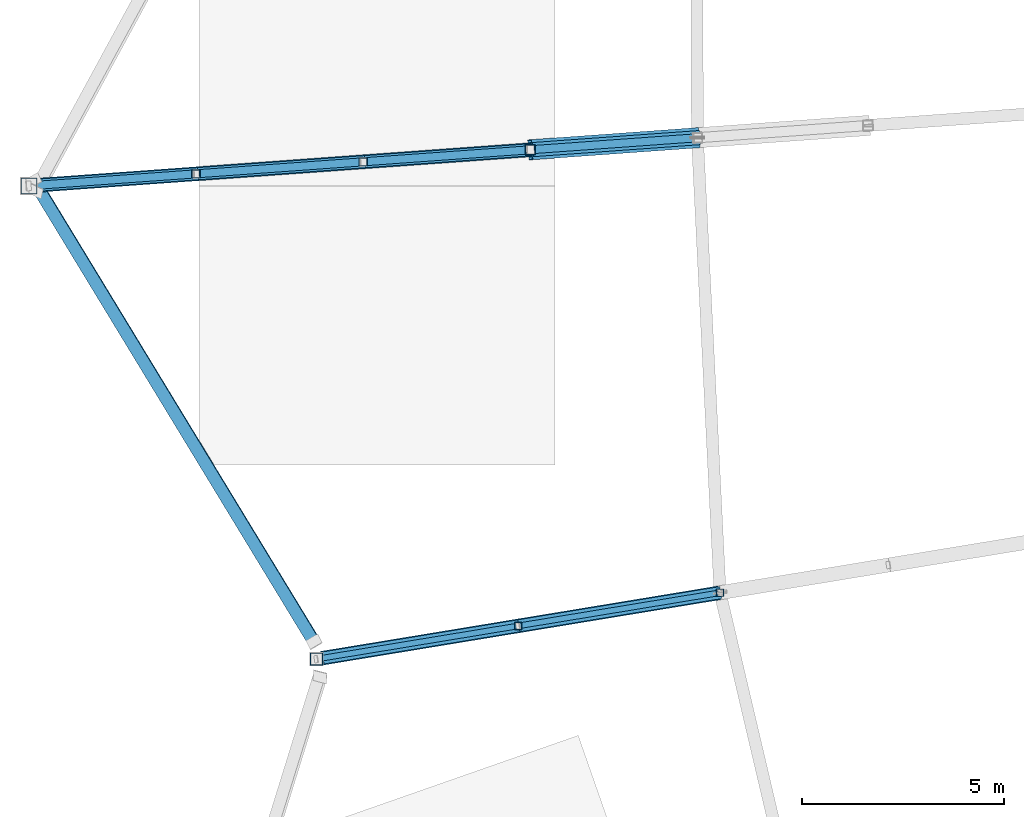
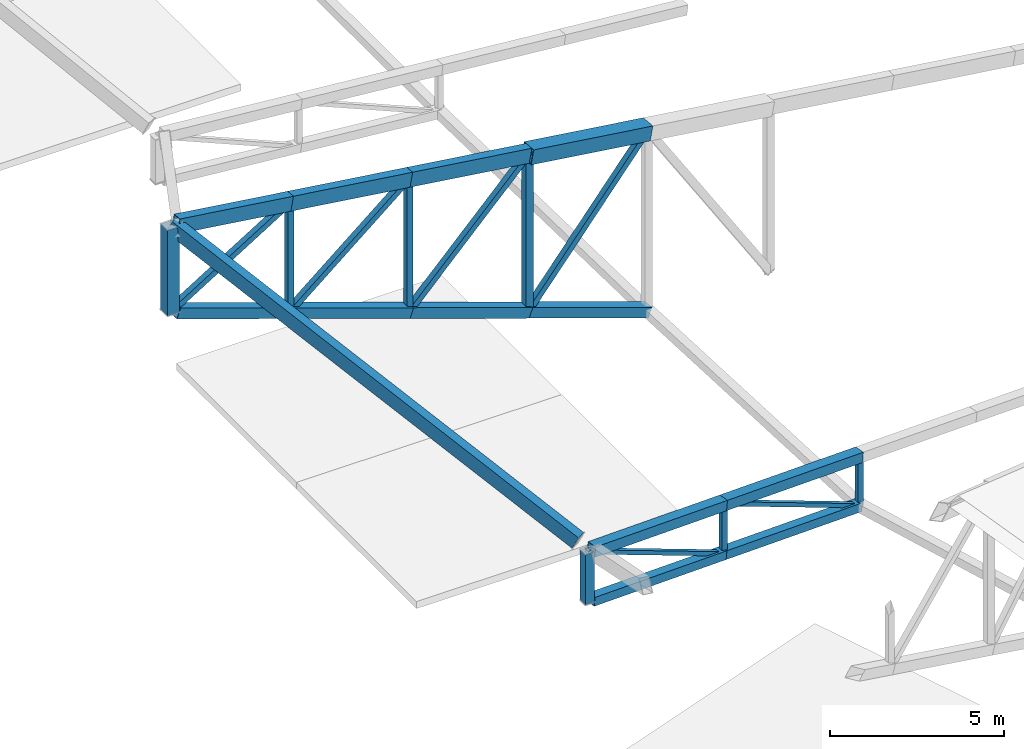
# One storey, part 10 of 188: 25 members, 1 beam.
"""IFC4 building model written with IfcOpenShell, lengths in metres."""

import ifcopenshell
import ifcopenshell.guid

model = None  # the IFC model being written
_history = None  # IfcOwnerHistory: only IFC2X3 demands one
_inside = {}  # id of a spatial element -> (the spatial element, [elements in it])
_under = {}  # id of a project, library or spatial element -> (it, [spatial elements below it])
_declared = {}  # id of a project -> (the project, [libraries it declares])
_typed = {}  # id of a type object -> (the type object, [elements of that type])
_made_of = {}  # id of a material, layer set ... -> (it, [elements and type objects made of it])


def new_model(schema):
    """Start an empty IFC model of exactly this schema.

    Asked for "IFC4X3", IfcOpenShell would pick the latest addendum, in which some entities
    have other attributes; the version numbers below select the first issue.
    IFC2X3 requires an IfcOwnerHistory on every rooted entity: one is made here for all.
    """
    global model, _history
    if schema == "IFC4X3":
        model = ifcopenshell.file(schema_version=(4, 3, 0, 0))
    else:
        model = ifcopenshell.file(schema=schema)
    _inside.clear()
    _under.clear()
    _declared.clear()
    _typed.clear()
    _made_of.clear()
    _history = None
    if model.schema == "IFC2X3":
        org = make("IfcOrganization", Name="unknown")
        user = make(
            "IfcPersonAndOrganization",
            ThePerson=make("IfcPerson", FamilyName="unknown"),
            TheOrganization=org,
        )
        app = make(
            "IfcApplication",
            ApplicationDeveloper=org,
            Version="unknown",
            ApplicationFullName="unknown",
            ApplicationIdentifier="unknown",
        )
        _history = make(
            "IfcOwnerHistory",
            OwningUser=user,
            OwningApplication=app,
            ChangeAction="ADDED",
            CreationDate=0,
        )
    return model


def make(cls, **values):
    """One entity of the class cls with the attributes given. An attribute that is None is left unset."""
    return model.create_entity(
        cls, **{name: value for name, value in values.items() if value is not None}
    )


def rooted(cls, **values):
    """An entity with a GlobalId (a new one), such as an element, a storey or a relation."""
    return make(cls, GlobalId=ifcopenshell.guid.new(), OwnerHistory=_history, **values)


def si_unit(unit_type, name, prefix=None):
    """IfcSIUnit, for example si_unit("LENGTHUNIT", "METRE", prefix="MILLI")."""
    return make("IfcSIUnit", UnitType=unit_type, Prefix=prefix, Name=name)


def assignment(units):
    """IfcUnitAssignment: the units of a project."""
    return None if units is None else make("IfcUnitAssignment", Units=units)


def point(xyz):
    """IfcCartesianPoint."""
    return None if xyz is None else make("IfcCartesianPoint", Coordinates=xyz)


def direction(xyz):
    """IfcDirection."""
    return None if xyz is None else make("IfcDirection", DirectionRatios=xyz)


def frame(location, z_axis=None, x_axis=None):
    """IfcAxis2Placement3D, a coordinate frame: its origin and axes. An axis left out is left unset."""
    return make(
        "IfcAxis2Placement3D",
        Location=point(location),
        Axis=direction(z_axis),
        RefDirection=direction(x_axis),
    )


def frame_2d(location, x_axis=None):
    """IfcAxis2Placement2D, a coordinate frame in the plane: its origin and x axis."""
    return make(
        "IfcAxis2Placement2D", Location=point(location), RefDirection=direction(x_axis)
    )


def origin():
    """The frame at (0, 0, 0) with its axes left unset."""
    return frame((0.0, 0.0, 0.0))


def origin_2d():
    """The frame at (0, 0) in the plane with its x axis left unset."""
    return frame_2d((0.0, 0.0))


def place(relative_to, where):
    """IfcLocalPlacement: puts the frame where relative to a parent placement (None: the world)."""
    return make(
        "IfcLocalPlacement", PlacementRelTo=relative_to, RelativePlacement=where
    )


def context(
    kind, dimensions, precision=None, world=None, true_north=None, identifier=None
):
    """IfcGeometricRepresentationContext, for example the 3D "Model" context."""
    return make(
        "IfcGeometricRepresentationContext",
        ContextIdentifier=identifier,
        ContextType=kind,
        CoordinateSpaceDimension=dimensions,
        Precision=precision,
        WorldCoordinateSystem=world,
        TrueNorth=true_north,
    )


def subcontext(parent, identifier, kind, view, scale=None):
    """IfcGeometricRepresentationSubContext, for example "Body" below "Model"."""
    return make(
        "IfcGeometricRepresentationSubContext",
        ContextIdentifier=identifier,
        ContextType=kind,
        ParentContext=parent,
        TargetScale=scale,
        TargetView=view,
    )


def project(units=None, contexts=None):
    """IfcProject with its units and contexts."""
    return rooted(
        "IfcProject",
        Name="project",
        RepresentationContexts=contexts,
        UnitsInContext=assignment(units),
    )


def spatial(cls, under=None, at=None, **own):
    """A site, building, storey or space (cls), placed at a placement, below another one or the project."""
    s = rooted(cls, ObjectPlacement=at, **own)
    if under is not None:
        _under.setdefault(under.id(), (under, []))[1].append(s)
    return s


def profile(cls, at=None, kind="AREA", **sizes):
    """A parametric profile (cls). Its sizes go by their IFC names, for example OverallWidth=200.0."""
    return make(cls, ProfileType=kind, Position=at, **sizes)


def hollow_rectangle(**sizes):
    """IfcRectangleHollowProfileDef."""
    return profile("IfcRectangleHollowProfileDef", **sizes)


def extrude(swept, where, along, depth):
    """IfcExtrudedAreaSolid: the profile swept, set in the frame where, extruded along a direction by depth."""
    return make(
        "IfcExtrudedAreaSolid",
        SweptArea=swept,
        Position=where,
        ExtrudedDirection=direction(along),
        Depth=depth,
    )


def shape(context_of_items, identifier, shape_type, items):
    """IfcShapeRepresentation: the items that make up one representation, for example the "Body"."""
    return make(
        "IfcShapeRepresentation",
        ContextOfItems=context_of_items,
        RepresentationIdentifier=identifier,
        RepresentationType=shape_type,
        Items=items,
    )


def material(Name=None, Category=None):
    """IfcMaterial."""
    return make("IfcMaterial", Name=Name, Category=Category)


def material_profile(
    of_material, cross_section, Name=None, Category=None, Priority=None
):
    """IfcMaterialProfile: a cross section and its material."""
    return make(
        "IfcMaterialProfile",
        Name=Name,
        Material=of_material,
        Profile=cross_section,
        Priority=Priority,
        Category=Category,
    )


def profile_set(profiles, Name=None, composite=None):
    """IfcMaterialProfileSet."""
    return make(
        "IfcMaterialProfileSet",
        Name=Name,
        MaterialProfiles=profiles,
        CompositeProfile=composite,
    )


def made_of(thing, what):
    """Note that an element or type object is made of a material, layer set ...; save() writes the relation."""
    if what is not None:
        _made_of.setdefault(what.id(), (what, []))[1].append(thing)
    return thing


def type_object(cls, material=None, **own):
    """A type object (cls), such as IfcWallType, which elements share."""
    return made_of(rooted(cls, **own), material)


def element(
    cls,
    number,
    at=None,
    inside=None,
    cuts=None,
    type_object=None,
    material=None,
    context=None,
    identifier="Body",
    shape_type=None,
    held_by="IfcProductDefinitionShape",
    body=None,
    shapes=None,
    **own,
):
    """One element of the class cls, such as IfcWall. Its Tag is "e" and its number.

    at: its placement. inside: the storey or other place that contains it. cuts: it is an
    opening in that element (IfcRelVoidsElement). A single representation is given by context,
    identifier, shape_type and body (its items); several are given by shapes. held_by: the class
    of the entity that holds the representations. save() writes the other relations.
    """
    e = rooted(cls, Tag="e%d" % number, ObjectPlacement=at, **own)
    if body is not None:
        shapes = [shape(context, identifier, shape_type, body)]
    if shapes is not None:
        e.Representation = make(held_by, Representations=shapes)
    if inside is not None:
        _inside.setdefault(inside.id(), (inside, []))[1].append(e)
    if cuts is not None:
        rooted(
            "IfcRelVoidsElement", RelatingBuildingElement=cuts, RelatedOpeningElement=e
        )
    if type_object is not None:
        _typed.setdefault(type_object.id(), (type_object, []))[1].append(e)
    return made_of(e, material)


def aggregate(whole, parts):
    """IfcRelAggregates: a whole, such as a stair, and the parts it consists of."""
    return rooted("IfcRelAggregates", RelatingObject=whole, RelatedObjects=parts)


def save(model, path):
    """Write the relations noted so far, then the file.

    IfcRelAggregates (storeys below a building ...), IfcRelContainedInSpatialStructure (elements
    in a storey), IfcRelDefinesByType, IfcRelAssociatesMaterial and IfcRelDeclares: one each for
    every whole, place, type object, material and project.
    """
    for whole, parts in _under.values():
        aggregate(whole, parts)
    for where, things in _inside.values():
        rooted(
            "IfcRelContainedInSpatialStructure",
            RelatedElements=things,
            RelatingStructure=where,
        )
    for kind, things in _typed.values():
        rooted("IfcRelDefinesByType", RelatedObjects=things, RelatingType=kind)
    for what, things in _made_of.values():
        rooted("IfcRelAssociatesMaterial", RelatedObjects=things, RelatingMaterial=what)
    for by, libraries in _declared.values():
        rooted("IfcRelDeclares", RelatingContext=by, RelatedDefinitions=libraries)
    model.write(path)


model = new_model("IFC4")

# Units and contexts
model_context = context("Model", 3, precision=1e-05, world=origin(), true_north=direction((0.0, 1.0)))
body_context = subcontext(model_context, "Body", "Model", "MODEL_VIEW")
ifc_project = project(units=[si_unit("LENGTHUNIT", "METRE"), si_unit("AREAUNIT", "SQUARE_METRE"), si_unit("VOLUMEUNIT", "CUBIC_METRE"), si_unit("PLANEANGLEUNIT", "RADIAN"), si_unit("MASSUNIT", "GRAM", prefix="KILO")], contexts=[model_context])

# Site, building, storey
site_placement = place(None, origin())
site = spatial("IfcSite", under=ifc_project, at=site_placement, CompositionType="ELEMENT")
building_placement = place(site_placement, origin())
building = spatial("IfcBuilding", under=site, at=building_placement, Name="Meseta Stadium", CompositionType="ELEMENT")
storey_placement = place(building_placement, frame((0.0, 0.0, 30.0)))
storey = spatial("IfcBuildingStorey", under=building, at=storey_placement, Name="ROOF", CompositionType="ELEMENT", Elevation=30.0)

# Beam
ifc_material_1 = material(Name="Steel S355", Category="steel")
ifc_material_profile_1 = material_profile(ifc_material_1, hollow_rectangle(XDim=0.300048828125, YDim=0.5, WallThickness=0.01611328125, at=origin_2d()), Name="RHS 500x300x16")
ifc_profile_set_1 = profile_set([ifc_material_profile_1], Name="Steel S355")
beam_type = type_object("IfcBeamType", Name="RHS 500x300x16 rim ring beam", PredefinedType="BEAM", material=ifc_profile_set_1)
beam_placement = place(storey_placement, frame((-101.27294921875, -43.630615234375, 10.410400390625), z_axis=(0.465079975823, -0.765248106248, -0.445079714178), x_axis=(0.862657043006, 0.504663486281, 0.033728204313)))
element("IfcBeam", 1, at=beam_placement, inside=storey, type_object=beam_type, Name="RIM RING BEAM 37", PredefinedType="BEAM", context=body_context, shape_type="SweptSolid", body=[
    extrude(hollow_rectangle(XDim=0.300048828125, YDim=0.5, WallThickness=0.01611328125, at=origin_2d()), origin(), (0.0, 0.0, 1.0), 14.867919921875),
])

# Members
ifc_material_2 = material(Name="Steel S355", Category="steel")
ifc_material_profile_2 = material_profile(ifc_material_2, hollow_rectangle(XDim=0.300048828125, YDim=0.5, WallThickness=0.01611328125, at=origin_2d()), Name="RHS 500x300x16")
ifc_profile_set_2 = profile_set([ifc_material_profile_2], Name="Steel S355")
member_type_1 = type_object("IfcMemberType", Name="RHS 500x300x16 top chord", PredefinedType="CHORD", material=ifc_profile_set_2)
for number, where, z_axis, x_axis, name in (
    (2, (-89.012939453125, -42.858642578125, 8.143310546875), (-0.979983832293, -0.070516190144, 0.186169695096), (0.071770917658, -0.997421142436, 0.0), "ROOF TRUSS RT-36 top chord"),
    (3, (-93.14208984375, -43.15576171875, 8.927734375), (-0.979970961837, -0.070519433571, 0.186236203367), (0.071775139582, -0.997420838632, 0.0), "ROOF TRUSS RT-36 top chord"),
):
    element("IfcMember", number, at=place(storey_placement, frame(where, z_axis=z_axis, x_axis=x_axis)), inside=storey, type_object=member_type_1, Name=name, PredefinedType="CHORD", context=body_context, shape_type="SweptSolid", body=[
        extrude(hollow_rectangle(XDim=0.300048828125, YDim=0.5, WallThickness=0.01611328125, at=origin_2d()), origin(), (0.0, 0.0, 1.0), 4.21337890625),
    ])
member_1_placement = place(storey_placement, frame((-97.27099609375, -43.452880859375, 9.71240234375), z_axis=(-0.979967572172, -0.070501701809, 0.186260751458), x_axis=(0.071757431946, -0.997422112729, 0.0)))
element("IfcMember", 4, at=member_1_placement, inside=storey, type_object=member_type_1, Name="ROOF TRUSS RT-36 top chord", PredefinedType="CHORD", context=body_context, shape_type="SweptSolid", body=[
    extrude(hollow_rectangle(XDim=0.300048828125, YDim=0.5, WallThickness=0.01611328125, at=origin_2d()), origin(), (0.0, 0.0, 1.0), 4.013427734375),
])
ifc_material_3 = material(Name="Steel S355", Category="steel")
ifc_material_profile_3 = material_profile(ifc_material_3, hollow_rectangle(XDim=0.139892578125, YDim=0.139892578125, WallThickness=0.0048828125, at=origin_2d()), Name="SHS 140x140x5")
ifc_profile_set_3 = profile_set([ifc_material_profile_3], Name="Steel S355")
member_type_2 = type_object("IfcMemberType", Name="SHS 140x140x5 diagonal", PredefinedType="BRACE", material=ifc_profile_set_3)
for number, where, z_axis, x_axis, name in (
    (5, (-84.3251953125, -53.801513671875, 0.800048828125), (-0.897327837288, -0.147628163072, 0.415943118582), (0.162337457447, -0.986735298806, 0.0), "ROOF TRUSS RT-37 diagonal"),
    (6, (-89.309814453125, -54.62158203125, 1.353759765625), (-0.897333658577, -0.147585170471, 0.415945816955), (0.162290401428, -0.986743039299, 0.0), "ROOF TRUSS RT-37 diagonal"),
):
    element("IfcMember", number, at=place(storey_placement, frame(where, z_axis=z_axis, x_axis=x_axis)), inside=storey, type_object=member_type_2, Name=name, PredefinedType="BRACE", context=body_context, shape_type="SweptSolid", body=[
        extrude(hollow_rectangle(XDim=0.139892578125, YDim=0.139892578125, WallThickness=0.0048828125, at=origin_2d()), origin(), (0.0, 0.0, 1.0), 5.554931640625),
    ])
ifc_material_4 = material(Name="Steel S355", Category="steel")
ifc_material_profile_4 = material_profile(ifc_material_4, hollow_rectangle(XDim=0.179931640625, YDim=0.179931640625, WallThickness=0.00634765625, at=origin_2d()), Name="SHS 180x180x6.3")
ifc_profile_set_4 = profile_set([ifc_material_profile_4], Name="Steel S355")
member_type_3 = type_object("IfcMemberType", Name="SHS 180x180x6.3 post", PredefinedType="POST", material=ifc_profile_set_4)
for number, where, z_axis, x_axis, name in (
    (7, (-84.3251953125, -53.801513671875, 0.800048828125), (0.0, 0.0, 1.0), (1.0, 0.0, 0.0), "ROOF TRUSS RT-37 post"),
    (8, (-89.309814453125, -54.62158203125, 1.353759765625), (0.0, 0.0, 1.0), (1.0, 0.0, 0.0), "ROOF TRUSS RT-37 post"),
):
    element("IfcMember", number, at=place(storey_placement, frame(where, z_axis=z_axis, x_axis=x_axis)), inside=storey, type_object=member_type_3, Name=name, PredefinedType="POST", context=body_context, shape_type="SweptSolid", body=[
        extrude(hollow_rectangle(XDim=0.179931640625, YDim=0.179931640625, WallThickness=0.00634765625, at=origin_2d()), origin(), (0.0, 0.0, 1.0), 1.7568359375),
    ])
ifc_material_5 = material(Name="Steel S355", Category="steel")
ifc_material_profile_5 = material_profile(ifc_material_5, hollow_rectangle(XDim=0.199951171875, YDim=0.199951171875, WallThickness=0.008056640625, at=origin_2d()), Name="SHS 200x200x8")
ifc_profile_set_5 = profile_set([ifc_material_profile_5], Name="Steel S355")
member_type_4 = type_object("IfcMemberType", Name="SHS 200x200x8 diagonal", PredefinedType="BRACE", material=ifc_profile_set_5)
member_2_placement = place(storey_placement, frame((-84.884033203125, -42.5615234375, 7.358642578125), z_axis=(-0.658035830009, -0.047352743917, -0.751496216935), x_axis=(0.071775139582, -0.997420838632, 0.0)))
element("IfcMember", 9, at=member_2_placement, inside=storey, type_object=member_type_4, Name="ROOF TRUSS RT-36 diagonal", PredefinedType="BRACE", context=body_context, shape_type="SweptSolid", body=[
    extrude(hollow_rectangle(XDim=0.199951171875, YDim=0.199951171875, WallThickness=0.008056640625, at=origin_2d()), origin(), (0.0, 0.0, 1.0), 6.274658203125),
])
member_3_placement = place(storey_placement, frame((-89.012939453125, -42.858642578125, 8.143310546875), z_axis=(-0.727568764065, -0.052353289533, -0.684034229137), x_axis=(0.071770917658, -0.997421142436, 0.0)))
element("IfcMember", 10, at=member_3_placement, inside=storey, type_object=member_type_4, Name="ROOF TRUSS RT-36 diagonal", PredefinedType="BRACE", context=body_context, shape_type="SweptSolid", body=[
    extrude(hollow_rectangle(XDim=0.199951171875, YDim=0.199951171875, WallThickness=0.008056640625, at=origin_2d()), origin(), (0.0, 0.0, 1.0), 5.67529296875),
])
member_4_placement = place(storey_placement, frame((-93.14208984375, -43.15576171875, 8.927734375), z_axis=(-0.803130928286, -0.05779389426, -0.592992898623), x_axis=(0.071775139582, -0.997420838632, 0.0)))
element("IfcMember", 11, at=member_4_placement, inside=storey, type_object=member_type_4, Name="ROOF TRUSS RT-36 diagonal", PredefinedType="BRACE", context=body_context, shape_type="SweptSolid", body=[
    extrude(hollow_rectangle(XDim=0.199951171875, YDim=0.199951171875, WallThickness=0.008056640625, at=origin_2d()), origin(), (0.0, 0.0, 1.0), 5.14111328125),
])
member_5_placement = place(storey_placement, frame((-97.27099609375, -43.452880859375, 9.71240234375), z_axis=(-0.879409942069, -0.063282988381, -0.471840457328), x_axis=(0.071775139582, -0.997420838632, 0.0)))
element("IfcMember", 12, at=member_5_placement, inside=storey, type_object=member_type_4, Name="ROOF TRUSS RT-36 diagonal", PredefinedType="BRACE", context=body_context, shape_type="SweptSolid", body=[
    extrude(hollow_rectangle(XDim=0.199951171875, YDim=0.199951171875, WallThickness=0.008056640625, at=origin_2d()), origin(), (0.0, 0.0, 1.0), 4.695068359375),
])
ifc_material_6 = material(Name="Steel S355", Category="steel")
ifc_material_profile_6 = material_profile(ifc_material_6, hollow_rectangle(XDim=0.199951171875, YDim=0.199951171875, WallThickness=0.008056640625, at=origin_2d()), Name="SHS 200x200x8")
ifc_profile_set_6 = profile_set([ifc_material_profile_6], Name="Steel S355")
member_type_5 = type_object("IfcMemberType", Name="SHS 200x200x8 post", PredefinedType="POST", material=ifc_profile_set_6)
member_6_placement = place(storey_placement, frame((-93.14208984375, -43.15576171875, 4.26123046875), z_axis=(0.0, 0.0, 1.0), x_axis=(1.0, 0.0, 0.0)))
element("IfcMember", 13, at=member_6_placement, inside=storey, type_object=member_type_5, Name="ROOF TRUSS RT-36 post", PredefinedType="POST", context=body_context, shape_type="SweptSolid", body=[
    extrude(hollow_rectangle(XDim=0.199951171875, YDim=0.199951171875, WallThickness=0.008056640625, at=origin_2d()), origin(), (0.0, 0.0, 1.0), 4.66650390625),
])
member_7_placement = place(storey_placement, frame((-97.27099609375, -43.452880859375, 5.879150390625), z_axis=(0.0, 0.0, 1.0), x_axis=(1.0, 0.0, 0.0)))
element("IfcMember", 14, at=member_7_placement, inside=storey, type_object=member_type_5, Name="ROOF TRUSS RT-36 post", PredefinedType="POST", context=body_context, shape_type="SweptSolid", body=[
    extrude(hollow_rectangle(XDim=0.199951171875, YDim=0.199951171875, WallThickness=0.008056640625, at=origin_2d()), origin(), (0.0, 0.0, 1.0), 3.833251953125),
])
ifc_material_7 = material(Name="Steel S355", Category="steel")
ifc_material_profile_7 = material_profile(ifc_material_7, hollow_rectangle(XDim=0.25, YDim=0.25, WallThickness=0.010009765625, at=origin_2d()), Name="SHS 250x250x10")
ifc_profile_set_7 = profile_set([ifc_material_profile_7], Name="Steel S355")
member_type_6 = type_object("IfcMemberType", Name="SHS 250x250x10 post", PredefinedType="POST", material=ifc_profile_set_7)
member_8_placement = place(storey_placement, frame((-89.012939453125, -42.858642578125, 2.643310546875), z_axis=(0.0, 0.0, 1.0), x_axis=(1.0, 0.0, 0.0)))
element("IfcMember", 15, at=member_8_placement, inside=storey, type_object=member_type_6, Name="ROOF TRUSS RT-36 post", PredefinedType="POST", context=body_context, shape_type="SweptSolid", body=[
    extrude(hollow_rectangle(XDim=0.25, YDim=0.25, WallThickness=0.010009765625, at=origin_2d()), origin(), (0.0, 0.0, 1.0), 5.5),
])
ifc_material_8 = material(Name="Steel S355", Category="steel")
ifc_material_profile_8 = material_profile(ifc_material_8, hollow_rectangle(XDim=0.300048828125, YDim=0.300048828125, WallThickness=0.010009765625, at=origin_2d()), Name="SHS 300x300x10")
ifc_profile_set_8 = profile_set([ifc_material_profile_8], Name="Steel S355")
member_type_7 = type_object("IfcMemberType", Name="SHS 300x300x10 bottom chord", PredefinedType="CHORD", material=ifc_profile_set_8)
member_9_placement = place(storey_placement, frame((-84.3251953125, -53.801513671875, 0.800048828125), z_axis=(-0.980860645076, -0.161370960808, 0.10895782647), x_axis=(0.162337457447, -0.986735298806, 0.0)))
element("IfcMember", 16, at=member_9_placement, inside=storey, type_object=member_type_7, Name="ROOF TRUSS RT-37 bottom chord", PredefinedType="CHORD", context=body_context, shape_type="SweptSolid", body=[
    extrude(hollow_rectangle(XDim=0.300048828125, YDim=0.300048828125, WallThickness=0.010009765625, at=origin_2d()), origin(), (0.0, 0.0, 1.0), 5.081787109375),
])
member_10_placement = place(storey_placement, frame((-89.309814453125, -54.62158203125, 1.353759765625), z_axis=(-0.980866957156, -0.161332664448, 0.108957715388), x_axis=(0.162298929731, -0.986741636604, 0.0)))
element("IfcMember", 17, at=member_10_placement, inside=storey, type_object=member_type_7, Name="ROOF TRUSS RT-37 bottom chord", PredefinedType="CHORD", context=body_context, shape_type="SweptSolid", body=[
    extrude(hollow_rectangle(XDim=0.300048828125, YDim=0.300048828125, WallThickness=0.010009765625, at=origin_2d()), origin(), (0.0, 0.0, 1.0), 4.931640625),
])
ifc_material_9 = material(Name="Steel S355", Category="steel")
ifc_material_profile_9 = material_profile(ifc_material_9, hollow_rectangle(XDim=0.300048828125, YDim=0.300048828125, WallThickness=0.010009765625, at=origin_2d()), Name="SHS 300x300x10")
ifc_profile_set_9 = profile_set([ifc_material_profile_9], Name="Steel S355")
member_type_8 = type_object("IfcMemberType", Name="SHS 300x300x10 rim post", PredefinedType="POST", material=ifc_profile_set_9)
member_11_placement = place(storey_placement, frame((-94.29443359375, -55.44140625, 1.907470703125), z_axis=(0.0, 0.0, 1.0), x_axis=(1.0, 0.0, 0.0)))
element("IfcMember", 18, at=member_11_placement, inside=storey, type_object=member_type_8, Name="ROOF TRUSS RT-37 post", PredefinedType="POST", context=body_context, shape_type="SweptSolid", body=[
    extrude(hollow_rectangle(XDim=0.300048828125, YDim=0.300048828125, WallThickness=0.010009765625, at=origin_2d()), origin(), (0.0, 0.0, 1.0), 1.7568359375),
])
ifc_material_10 = material(Name="Steel S355", Category="steel")
ifc_material_profile_10 = material_profile(ifc_material_10, hollow_rectangle(XDim=0.35009765625, YDim=0.35009765625, WallThickness=0.010009765625, at=origin_2d()), Name="SHS 350x350x10")
ifc_profile_set_10 = profile_set([ifc_material_profile_10], Name="Steel S355")
member_type_9 = type_object("IfcMemberType", Name="SHS 350x350x10 bottom chord", PredefinedType="CHORD", material=ifc_profile_set_10)
member_12_placement = place(storey_placement, frame((-84.884033203125, -42.5615234375, 1.025390625), z_axis=(-0.928986856662, -0.06685057974, 0.364025301508), x_axis=(0.071775139582, -0.997420838632, 0.0)))
element("IfcMember", 19, at=member_12_placement, inside=storey, type_object=member_type_9, Name="ROOF TRUSS RT-36 bottom chord", PredefinedType="CHORD", context=body_context, shape_type="SweptSolid", body=[
    extrude(hollow_rectangle(XDim=0.35009765625, YDim=0.35009765625, WallThickness=0.010009765625, at=origin_2d()), origin(), (0.0, 0.0, 1.0), 4.444580078125),
])
member_13_placement = place(storey_placement, frame((-89.012939453125, -42.858642578125, 2.643310546875), z_axis=(-0.928994380672, -0.066847168526, 0.364006726229), x_axis=(0.071770917658, -0.997421142436, 0.0)))
element("IfcMember", 20, at=member_13_placement, inside=storey, type_object=member_type_9, Name="ROOF TRUSS RT-36 bottom chord", PredefinedType="CHORD", context=body_context, shape_type="SweptSolid", body=[
    extrude(hollow_rectangle(XDim=0.35009765625, YDim=0.35009765625, WallThickness=0.010009765625, at=origin_2d()), origin(), (0.0, 0.0, 1.0), 4.44482421875),
])
member_14_placement = place(storey_placement, frame((-93.14208984375, -43.15576171875, 4.26123046875), z_axis=(-0.928986856662, -0.06685057974, 0.364025301508), x_axis=(0.071775139582, -0.997420838632, 0.0)))
element("IfcMember", 21, at=member_14_placement, inside=storey, type_object=member_type_9, Name="ROOF TRUSS RT-36 bottom chord", PredefinedType="CHORD", context=body_context, shape_type="SweptSolid", body=[
    extrude(hollow_rectangle(XDim=0.35009765625, YDim=0.35009765625, WallThickness=0.010009765625, at=origin_2d()), origin(), (0.0, 0.0, 1.0), 4.444580078125),
])
member_15_placement = place(storey_placement, frame((-97.27099609375, -43.452880859375, 5.879150390625), z_axis=(-0.928983829085, -0.066836679425, 0.364035580105), x_axis=(0.071760524824, -0.997421890213, 0.0)))
element("IfcMember", 22, at=member_15_placement, inside=storey, type_object=member_type_9, Name="ROOF TRUSS RT-36 bottom chord", PredefinedType="CHORD", context=body_context, shape_type="SweptSolid", body=[
    extrude(hollow_rectangle(XDim=0.35009765625, YDim=0.35009765625, WallThickness=0.010009765625, at=origin_2d()), origin(), (0.0, 0.0, 1.0), 4.24462890625),
])
ifc_material_11 = material(Name="Steel S355", Category="steel")
ifc_material_profile_11 = material_profile(ifc_material_11, hollow_rectangle(XDim=0.35009765625, YDim=0.35009765625, WallThickness=0.010009765625, at=origin_2d()), Name="SHS 350x350x10")
ifc_profile_set_11 = profile_set([ifc_material_profile_11], Name="Steel S355")
member_type_10 = type_object("IfcMemberType", Name="SHS 350x350x10 top chord", PredefinedType="CHORD", material=ifc_profile_set_11)
member_16_placement = place(storey_placement, frame((-84.3251953125, -53.801513671875, 2.556884765625), z_axis=(-0.980860645076, -0.161370960808, 0.10895782647), x_axis=(0.162337457447, -0.986735298806, 0.0)))
element("IfcMember", 23, at=member_16_placement, inside=storey, type_object=member_type_10, Name="ROOF TRUSS RT-37 top chord", PredefinedType="CHORD", context=body_context, shape_type="SweptSolid", body=[
    extrude(hollow_rectangle(XDim=0.35009765625, YDim=0.35009765625, WallThickness=0.010009765625, at=origin_2d()), origin(), (0.0, 0.0, 1.0), 5.081787109375),
])
member_17_placement = place(storey_placement, frame((-89.309814453125, -54.62158203125, 3.110595703125), z_axis=(-0.980866957156, -0.161332664448, 0.108957715388), x_axis=(0.162298929731, -0.986741636604, 0.0)))
element("IfcMember", 24, at=member_17_placement, inside=storey, type_object=member_type_10, Name="ROOF TRUSS RT-37 top chord", PredefinedType="CHORD", context=body_context, shape_type="SweptSolid", body=[
    extrude(hollow_rectangle(XDim=0.35009765625, YDim=0.35009765625, WallThickness=0.010009765625, at=origin_2d()), origin(), (0.0, 0.0, 1.0), 4.931640625),
])
ifc_material_12 = material(Name="Steel S355", Category="steel")
ifc_material_profile_12 = material_profile(ifc_material_12, hollow_rectangle(XDim=0.39990234375, YDim=0.39990234375, WallThickness=0.01416015625, at=origin_2d()), Name="SHS 400x400x14.2")
ifc_profile_set_12 = profile_set([ifc_material_profile_12], Name="Steel S355")
member_type_11 = type_object("IfcMemberType", Name="SHS 400x400x14.2 rim post", PredefinedType="POST", material=ifc_profile_set_12)
member_18_placement = place(storey_placement, frame((-101.39990234375, -43.75, 7.4970703125), z_axis=(0.0, 0.0, 1.0), x_axis=(1.0, 0.0, 0.0)))
element("IfcMember", 25, at=member_18_placement, inside=storey, type_object=member_type_11, Name="ROOF TRUSS RT-36 post", PredefinedType="POST", context=body_context, shape_type="SweptSolid", body=[
    extrude(hollow_rectangle(XDim=0.39990234375, YDim=0.39990234375, WallThickness=0.01416015625, at=origin_2d()), origin(), (0.0, 0.0, 1.0), 3.0),
])
ifc_material_13 = material(Name="Steel S355", Category="steel")
ifc_material_profile_13 = material_profile(ifc_material_13, hollow_rectangle(XDim=0.5, YDim=0.5, WallThickness=0.01611328125, at=origin_2d()), Name="SHS 500x500x16")
ifc_profile_set_13 = profile_set([ifc_material_profile_13], Name="Steel S355")
member_type_12 = type_object("IfcMemberType", Name="SHS 500x500x16 top chord", PredefinedType="CHORD", material=ifc_profile_set_13)
member_19_placement = place(storey_placement, frame((-84.884033203125, -42.5615234375, 7.358642578125), z_axis=(-0.979970961837, -0.070519433571, 0.186236203367), x_axis=(0.071775139582, -0.997420838632, 0.0)))
element("IfcMember", 26, at=member_19_placement, inside=storey, type_object=member_type_12, Name="ROOF TRUSS RT-36 top chord", PredefinedType="CHORD", context=body_context, shape_type="SweptSolid", body=[
    extrude(hollow_rectangle(XDim=0.5, YDim=0.5, WallThickness=0.01611328125, at=origin_2d()), origin(), (0.0, 0.0, 1.0), 4.21337890625),
])

save(model, "model.ifc")
